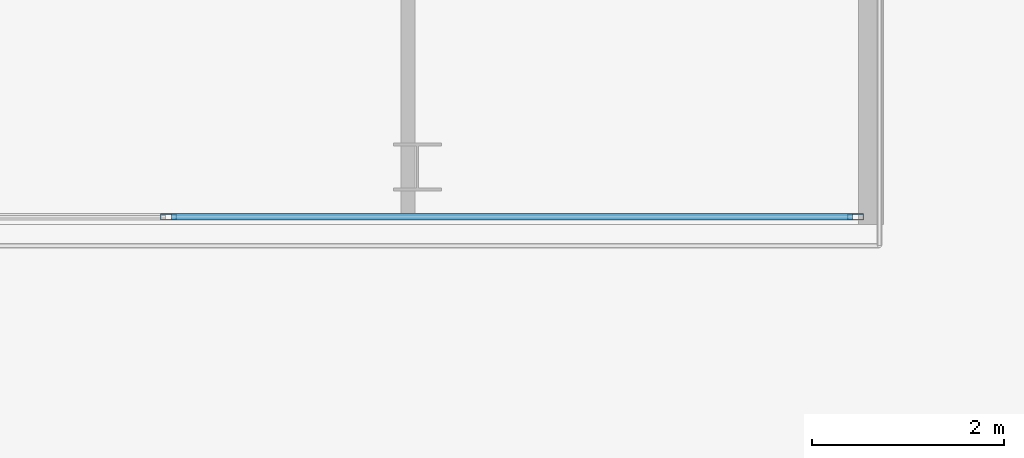
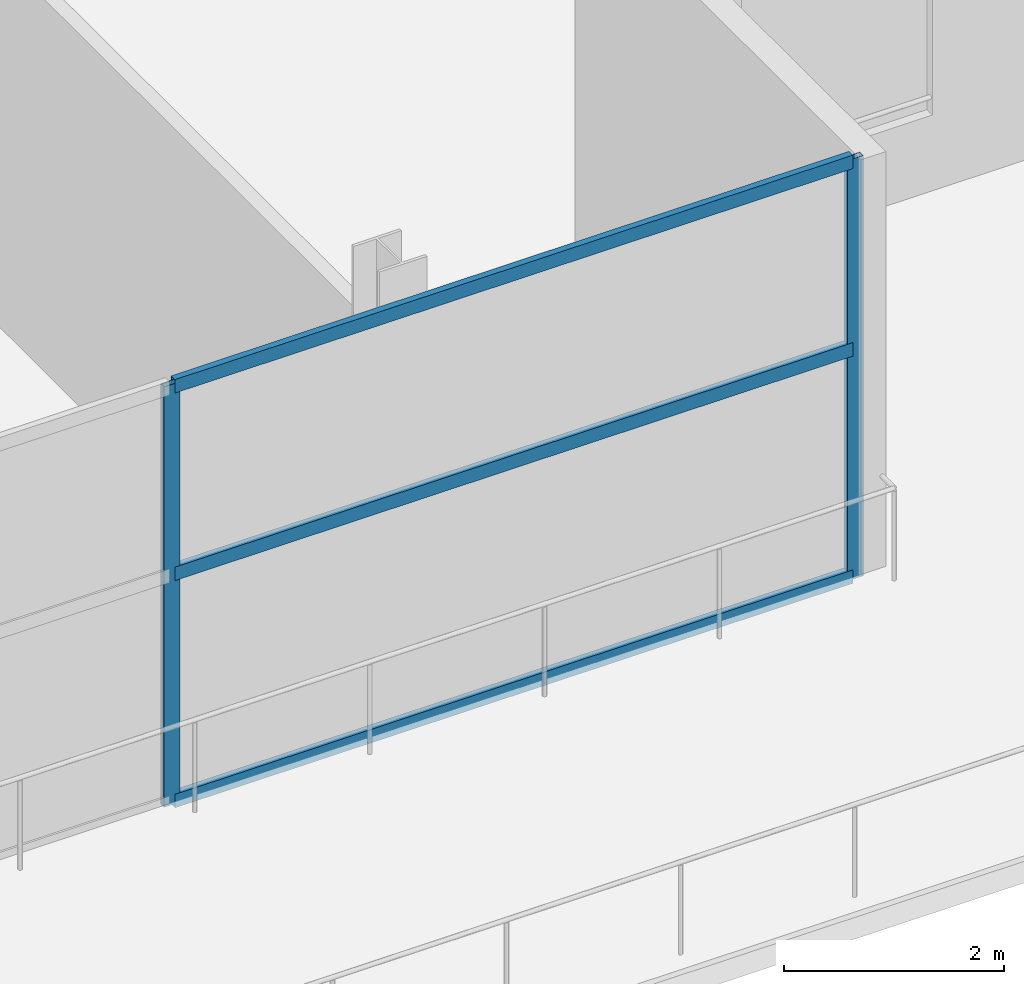
# One storey, part 9 of 28: 5 members, 1 element without a shape of its own.
"""IFC4 building model written with IfcOpenShell, lengths in metres."""

from ifc_helpers import new_model, si_unit, direction, frame, origin, origin_2d, place, context, subcontext, project, spatial, hollow_rectangle, extrude, material, layer, layer_set, material_profile, profile_set, type_object, element, aggregate, save


model = new_model("IFC4")

# Units and contexts
model_context = context("Model", 3, precision=1e-05, world=origin(), true_north=direction((0.0, 1.0)))
body_context = subcontext(model_context, "Body", "Model", "MODEL_VIEW")
ifc_project = project(units=[si_unit("LENGTHUNIT", "METRE"), si_unit("AREAUNIT", "SQUARE_METRE"), si_unit("VOLUMEUNIT", "CUBIC_METRE"), si_unit("PLANEANGLEUNIT", "RADIAN"), si_unit("MASSUNIT", "GRAM", prefix="KILO")], contexts=[model_context])

# Site, building, storey
site_placement = place(None, origin())
site = spatial("IfcSite", under=ifc_project, at=site_placement, CompositionType="ELEMENT")
building_placement = place(site_placement, origin())
building = spatial("IfcBuilding", under=site, at=building_placement, Name="Maruvema Waterfront Hotel and Observation Tower", CompositionType="ELEMENT")
storey_placement = place(building_placement, frame((0.0, 0.0, 234.5)))
storey = spatial("IfcBuildingStorey", under=building, at=storey_placement, Name="L57", CompositionType="ELEMENT", Elevation=234.5)

# Curtain wall, members
ifc_material_1 = material(Name="Anodised bronze aluminium and solar-control low-E IGU", Category="aluminium")
ifc_layer = layer(ifc_material_1, 0.159912109375, Name="Zone 3 Champagne Inner Thermal Curtain Wall System CW-04")
ifc_layer_set = layer_set([ifc_layer], Name="Anodised bronze aluminium and solar-control low-E IGU")
curtain_wall_type = type_object("IfcCurtainWallType", Name="Zone 3 Champagne Inner Thermal Curtain Wall System CW-04", PredefinedType="USERDEFINED", material=ifc_layer_set)
curtain_wall_placement = place(storey_placement, origin())
curtain_wall = element("IfcCurtainWall", 1, at=curtain_wall_placement, inside=storey, type_object=curtain_wall_type, Name="L57 Curtain Wall CW-L57-SE", ObjectType="UNITISED CURTAIN WALL", PredefinedType="USERDEFINED")
ifc_material_2 = material(Name="Anodised architectural bronze aluminium", Category="aluminium")
ifc_material_profile_1 = material_profile(ifc_material_2, hollow_rectangle(XDim=0.070068359375, YDim=0.14990234375, WallThickness=0.00390625, at=origin_2d()), Name="ALU-T70x150")
ifc_profile_set_1 = profile_set([ifc_material_profile_1], Name="Anodised architectural bronze aluminium")
member_type_1 = type_object("IfcMemberType", Name="Curtain Wall Horizontal Transom ALU-T70x150", PredefinedType="USERDEFINED", material=ifc_profile_set_1)
member_1_placement = place(storey_placement, frame((47.830078125, 9.280029296875, 0.030029296875), z_axis=(1.0, 0.0, 0.0), x_axis=(0.0, 1.0, 0.0)))
member_1 = element("IfcMember", 2, at=member_1_placement, type_object=member_type_1, Name="CW-04 transom 2.1", ObjectType="TRANSOM", PredefinedType="USERDEFINED", context=body_context, shape_type="SweptSolid", body=[
    extrude(hollow_rectangle(XDim=0.070068359375, YDim=0.14990234375, WallThickness=0.00390625, at=origin_2d()), origin(), (0.0, 0.0, 1.0), 7.10986328125),
])
member_2_placement = place(storey_placement, frame((47.830078125, 9.280029296875, 2.550048828125), z_axis=(1.0, 0.0, 0.0), x_axis=(0.0, 1.0, 0.0)))
member_2 = element("IfcMember", 3, at=member_2_placement, type_object=member_type_1, Name="CW-04 transom 2.2", ObjectType="TRANSOM", PredefinedType="USERDEFINED", context=body_context, shape_type="SweptSolid", body=[
    extrude(hollow_rectangle(XDim=0.070068359375, YDim=0.14990234375, WallThickness=0.00390625, at=origin_2d()), origin(), (0.0, 0.0, 1.0), 7.10986328125),
])
member_3_placement = place(storey_placement, frame((47.830078125, 9.280029296875, 4.6298828125), z_axis=(1.0, 0.0, 0.0), x_axis=(0.0, 1.0, 0.0)))
member_3 = element("IfcMember", 4, at=member_3_placement, type_object=member_type_1, Name="CW-04 transom 2.3", ObjectType="TRANSOM", PredefinedType="USERDEFINED", context=body_context, shape_type="SweptSolid", body=[
    extrude(hollow_rectangle(XDim=0.070068359375, YDim=0.14990234375, WallThickness=0.00390625, at=origin_2d()), origin(), (0.0, 0.0, 1.0), 7.10986328125),
])
ifc_material_3 = material(Name="Anodised architectural bronze aluminium", Category="aluminium")
ifc_material_profile_2 = material_profile(ifc_material_3, hollow_rectangle(XDim=0.06494140625, YDim=0.1650390625, WallThickness=0.00390625, at=origin_2d()), Name="ALU-M65x165")
ifc_profile_set_2 = profile_set([ifc_material_profile_2], Name="Anodised architectural bronze aluminium")
member_type_2 = type_object("IfcMemberType", Name="Curtain Wall Primary Mullion ALU-M65x165", PredefinedType="MULLION", material=ifc_profile_set_2)
member_4_placement = place(storey_placement, frame((47.800048828125, 9.280029296875, 0.0), z_axis=(0.0, 0.0, 1.0), x_axis=(0.0, 1.0, 0.0)))
member_4 = element("IfcMember", 5, at=member_4_placement, type_object=member_type_2, Name="CW-04 mullion 2", PredefinedType="MULLION", context=body_context, shape_type="SweptSolid", body=[
    extrude(hollow_rectangle(XDim=0.06494140625, YDim=0.1650390625, WallThickness=0.00390625, at=origin_2d()), origin(), (0.0, 0.0, 1.0), 4.659912109375),
])
member_5_placement = place(storey_placement, frame((54.969970703125, 9.280029296875, 0.0), z_axis=(0.0, 0.0, 1.0), x_axis=(0.0, 1.0, 0.0)))
member_5 = element("IfcMember", 6, at=member_5_placement, type_object=member_type_2, Name="CW-04 mullion 3", PredefinedType="MULLION", context=body_context, shape_type="SweptSolid", body=[
    extrude(hollow_rectangle(XDim=0.06494140625, YDim=0.1650390625, WallThickness=0.00390625, at=origin_2d()), origin(), (0.0, 0.0, 1.0), 4.659912109375),
])
aggregate(curtain_wall, [member_4, member_5, member_1, member_2, member_3])

save(model, "model.ifc")
